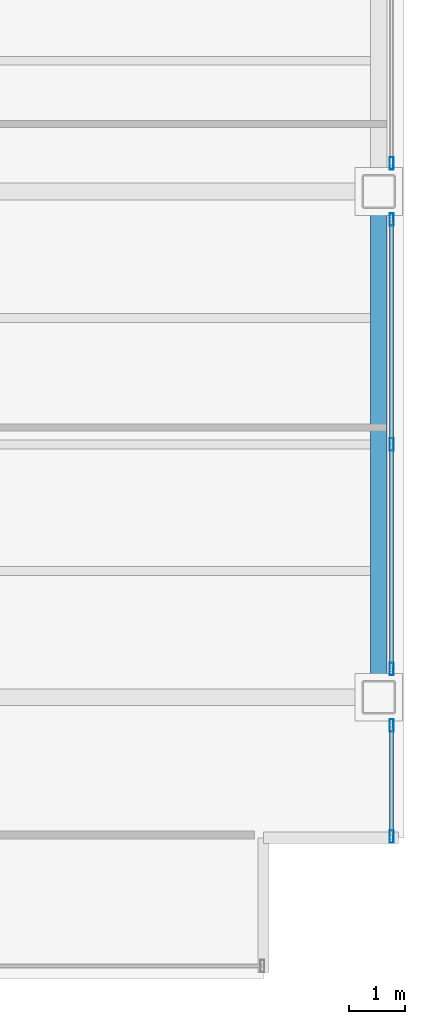
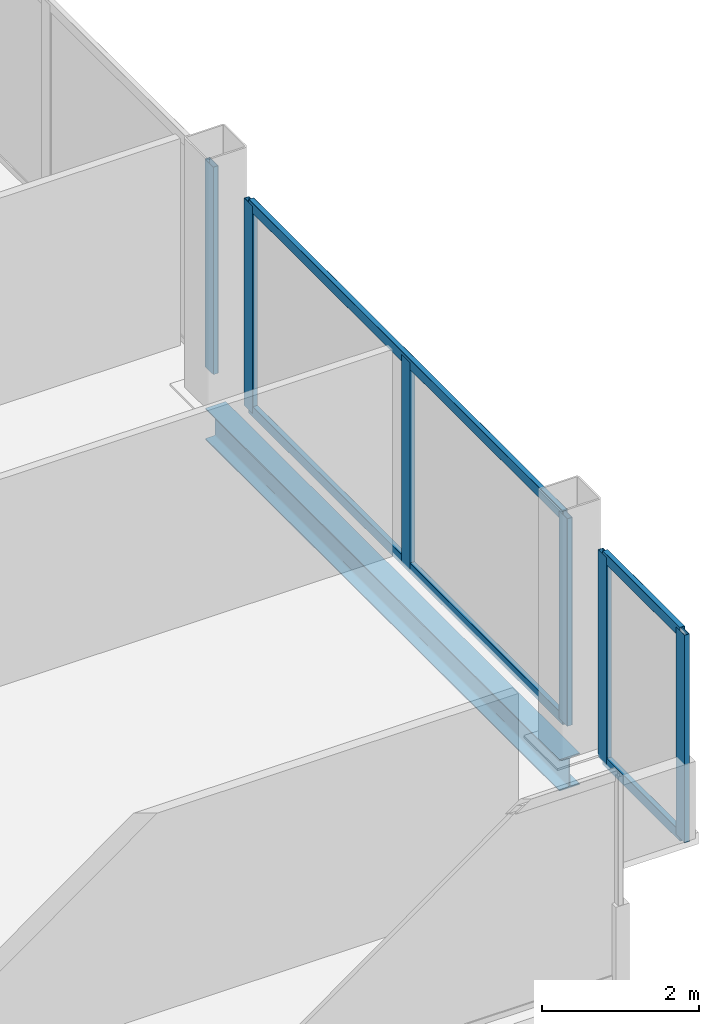
# One storey, part 10 of 20: 10 members, 1 beam, 3 elements without a shape of their own.
"""IFC4 building model written with IfcOpenShell, lengths in metres."""

from ifc_helpers import new_model, si_unit, direction, frame, origin, origin_2d, place, context, subcontext, project, spatial, hollow_rectangle, i_section, extrude, material, material_profile, profile_set, type_object, element, aggregate, save


model = new_model("IFC4")

# Units and contexts
model_context = context("Model", 3, precision=1e-05, world=origin(), true_north=direction((0.0, 1.0)))
body_context = subcontext(model_context, "Body", "Model", "MODEL_VIEW")
ifc_project = project(units=[si_unit("LENGTHUNIT", "METRE"), si_unit("AREAUNIT", "SQUARE_METRE"), si_unit("VOLUMEUNIT", "CUBIC_METRE"), si_unit("PLANEANGLEUNIT", "RADIAN"), si_unit("MASSUNIT", "GRAM", prefix="KILO")], contexts=[model_context])

# Site, building, storey
site_placement = place(None, origin())
site = spatial("IfcSite", under=ifc_project, at=site_placement, CompositionType="ELEMENT")
building_placement = place(site_placement, origin())
building = spatial("IfcBuilding", under=site, at=building_placement, Name="Noeulbin Bourse Tower", CompositionType="ELEMENT")
storey_placement = place(building_placement, frame((0.0, 0.0, 65.5)))
storey = spatial("IfcBuildingStorey", under=building, at=storey_placement, Name="L16", CompositionType="ELEMENT", Elevation=65.5)

# Beam
ifc_material_1 = material(Name="Steel S355", Category="steel")
ifc_material_profile_1 = material_profile(ifc_material_1, i_section(OverallWidth=0.300048828125, OverallDepth=0.488037109375, WebThickness=0.010986328125, FlangeThickness=0.01806640625, FilletRadius=0.02197265625, at=origin_2d()), Name="H-488x300x11x18", Category="LoadBearing")
ifc_profile_set_1 = profile_set([ifc_material_profile_1], Name="Steel S355")
beam_type = type_object("IfcBeamType", Name="BM-SPN-488", PredefinedType="SPANDREL", material=ifc_profile_set_1)
beam_placement = place(storey_placement, frame((57.050048828125, 20.0, -0.424072265625), z_axis=(0.0, 1.0, 0.0), x_axis=(-1.0, 0.0, 0.0)))
element("IfcBeam", 1, at=beam_placement, inside=storey, type_object=beam_type, Name="East Spandrel L16-1", PredefinedType="SPANDREL", context=body_context, shape_type="SweptSolid", body=[
    extrude(i_section(OverallWidth=0.300048828125, OverallDepth=0.488037109375, WebThickness=0.010986328125, FlangeThickness=0.01806640625, FilletRadius=0.02197265625, at=origin_2d()), origin(), (0.0, 0.0, 1.0), 9.0),
])

# Curtain wall, members
ifc_material_2 = material(Name="Dark Solar-Control Double Glazing", Category="glass")
curtain_wall_type = type_object("IfcCurtainWallType", Name="CW-SYS-2", PredefinedType="NOTDEFINED", material=ifc_material_2)
curtain_wall_1_placement = place(storey_placement, origin())
curtain_wall_1 = element("IfcCurtainWall", 2, at=curtain_wall_1_placement, inside=storey, type_object=curtain_wall_type, Name="Unitised Curtain Wall CW-L16-E-S1", PredefinedType="NOTDEFINED")
ifc_material_3 = material(Name="Anodised Aluminium 6063-T6", Category="aluminium")
ifc_material_profile_2 = material_profile(ifc_material_3, hollow_rectangle(XDim=0.074951171875, YDim=0.219970703125, WallThickness=0.0048828125, InnerFilletRadius=0.00244140625, OuterFilletRadius=0.0048828125, at=origin_2d()), Name="ALU-MULL-75x220x5", Category="LoadBearing")
ifc_profile_set_2 = profile_set([ifc_material_profile_2], Name="Anodised Aluminium 6063-T6")
member_type_1 = type_object("IfcMemberType", Name="CW-SYS-2-MUL", PredefinedType="MULLION", material=ifc_profile_set_2)
member_1_placement = place(storey_placement, frame((57.280029296875, 17.52001953125, -0.02001953125), z_axis=(0.0, 0.0, 1.0), x_axis=(1.0, 0.0, 0.0)))
member_1 = element("IfcMember", 3, at=member_1_placement, type_object=member_type_1, Name="Curtain Wall Mullion CW-L16-E-S1-M00", PredefinedType="MULLION", context=body_context, shape_type="SweptSolid", body=[
    extrude(hollow_rectangle(XDim=0.074951171875, YDim=0.219970703125, WallThickness=0.0048828125, InnerFilletRadius=0.00244140625, OuterFilletRadius=0.0048828125, at=origin_2d()), origin(), (0.0, 0.0, 1.0), 3.219970703125),
])
member_2_placement = place(storey_placement, frame((57.280029296875, 19.5, -0.02001953125), z_axis=(0.0, 0.0, 1.0), x_axis=(1.0, 0.0, 0.0)))
member_2 = element("IfcMember", 4, at=member_2_placement, type_object=member_type_1, Name="Curtain Wall Mullion CW-L16-E-S1-M01", PredefinedType="MULLION", context=body_context, shape_type="SweptSolid", body=[
    extrude(hollow_rectangle(XDim=0.074951171875, YDim=0.219970703125, WallThickness=0.0048828125, InnerFilletRadius=0.00244140625, OuterFilletRadius=0.0048828125, at=origin_2d()), origin(), (0.0, 0.0, 1.0), 3.219970703125),
])

curtain_wall_2_placement = place(storey_placement, origin())
curtain_wall_2 = element("IfcCurtainWall", 5, at=curtain_wall_2_placement, inside=storey, type_object=curtain_wall_type, Name="Unitised Curtain Wall CW-L16-E-S2", PredefinedType="NOTDEFINED")
member_3_placement = place(storey_placement, frame((57.280029296875, 20.5, -0.02001953125), z_axis=(0.0, 0.0, 1.0), x_axis=(1.0, 0.0, 0.0)))
member_3 = element("IfcMember", 6, at=member_3_placement, type_object=member_type_1, Name="Curtain Wall Mullion CW-L16-E-S2-M00", PredefinedType="MULLION", context=body_context, shape_type="SweptSolid", body=[
    extrude(hollow_rectangle(XDim=0.074951171875, YDim=0.219970703125, WallThickness=0.0048828125, InnerFilletRadius=0.00244140625, OuterFilletRadius=0.0048828125, at=origin_2d()), origin(), (0.0, 0.0, 1.0), 3.219970703125),
])
member_4_placement = place(storey_placement, frame((57.280029296875, 24.5, -0.02001953125), z_axis=(0.0, 0.0, 1.0), x_axis=(1.0, 0.0, 0.0)))
member_4 = element("IfcMember", 7, at=member_4_placement, type_object=member_type_1, Name="Curtain Wall Mullion CW-L16-E-S2-M01", PredefinedType="MULLION", context=body_context, shape_type="SweptSolid", body=[
    extrude(hollow_rectangle(XDim=0.074951171875, YDim=0.219970703125, WallThickness=0.0048828125, InnerFilletRadius=0.00244140625, OuterFilletRadius=0.0048828125, at=origin_2d()), origin(), (0.0, 0.0, 1.0), 3.219970703125),
])
member_5_placement = place(storey_placement, frame((57.280029296875, 28.5, -0.02001953125), z_axis=(0.0, 0.0, 1.0), x_axis=(1.0, 0.0, 0.0)))
member_5 = element("IfcMember", 8, at=member_5_placement, type_object=member_type_1, Name="Curtain Wall Mullion CW-L16-E-S2-M02", PredefinedType="MULLION", context=body_context, shape_type="SweptSolid", body=[
    extrude(hollow_rectangle(XDim=0.074951171875, YDim=0.219970703125, WallThickness=0.0048828125, InnerFilletRadius=0.00244140625, OuterFilletRadius=0.0048828125, at=origin_2d()), origin(), (0.0, 0.0, 1.0), 3.219970703125),
])

# Curtain wall, member
curtain_wall_3_placement = place(storey_placement, origin())
curtain_wall_3 = element("IfcCurtainWall", 9, at=curtain_wall_3_placement, inside=storey, type_object=curtain_wall_type, Name="Unitised Curtain Wall CW-L16-E-S3", PredefinedType="NOTDEFINED")
member_6_placement = place(storey_placement, frame((57.280029296875, 29.5, -0.02001953125), z_axis=(0.0, 0.0, 1.0), x_axis=(1.0, 0.0, 0.0)))
member_6 = element("IfcMember", 10, at=member_6_placement, type_object=member_type_1, Name="Curtain Wall Mullion CW-L16-E-S3-M00", PredefinedType="MULLION", context=body_context, shape_type="SweptSolid", body=[
    extrude(hollow_rectangle(XDim=0.074951171875, YDim=0.219970703125, WallThickness=0.0048828125, InnerFilletRadius=0.00244140625, OuterFilletRadius=0.0048828125, at=origin_2d()), origin(), (0.0, 0.0, 1.0), 3.219970703125),
])
aggregate(curtain_wall_3, [member_6])

# Member
ifc_material_profile_3 = material_profile(ifc_material_3, hollow_rectangle(XDim=0.074951171875, YDim=0.159912109375, WallThickness=0.0048828125, InnerFilletRadius=0.00244140625, OuterFilletRadius=0.0048828125, at=origin_2d()), Name="ALU-TRAN-75x160x5", Category="LoadBearing")
ifc_profile_set_3 = profile_set([ifc_material_profile_3], Name="Anodised Aluminium 6063-T6")
member_type_2 = type_object("IfcMemberType", Name="CW-SYS-2-TRN", PredefinedType="USERDEFINED", material=ifc_profile_set_3)
member_7_placement = place(storey_placement, frame((57.280029296875, 17.530029296875, 0.010009765625), z_axis=(0.0, 1.0, 0.0), x_axis=(-1.0, 0.0, 0.0)))
member_7 = element("IfcMember", 11, at=member_7_placement, type_object=member_type_2, Name="Curtain Wall Transom CW-L16-E-S1-T00", ObjectType="TRANSOM", PredefinedType="USERDEFINED", context=body_context, shape_type="SweptSolid", body=[
    extrude(hollow_rectangle(XDim=0.074951171875, YDim=0.159912109375, WallThickness=0.0048828125, InnerFilletRadius=0.00244140625, OuterFilletRadius=0.0048828125, at=origin_2d()), origin(), (0.0, 0.0, 1.0), 1.9599609375),
])

member_8_placement = place(storey_placement, frame((57.280029296875, 17.530029296875, 3.169921875), z_axis=(0.0, 1.0, 0.0), x_axis=(-1.0, 0.0, 0.0)))
member_8 = element("IfcMember", 12, at=member_8_placement, type_object=member_type_2, Name="Curtain Wall Transom CW-L16-E-S1-T01", ObjectType="TRANSOM", PredefinedType="USERDEFINED", context=body_context, shape_type="SweptSolid", body=[
    extrude(hollow_rectangle(XDim=0.074951171875, YDim=0.159912109375, WallThickness=0.0048828125, InnerFilletRadius=0.00244140625, OuterFilletRadius=0.0048828125, at=origin_2d()), origin(), (0.0, 0.0, 1.0), 1.9599609375),
])

aggregate(curtain_wall_1, [member_1, member_2, member_7, member_8])

member_9_placement = place(storey_placement, frame((57.280029296875, 20.510009765625, 0.010009765625), z_axis=(0.0, 1.0, 0.0), x_axis=(-1.0, 0.0, 0.0)))
member_9 = element("IfcMember", 13, at=member_9_placement, type_object=member_type_2, Name="Curtain Wall Transom CW-L16-E-S2-T00", ObjectType="TRANSOM", PredefinedType="USERDEFINED", context=body_context, shape_type="SweptSolid", body=[
    extrude(hollow_rectangle(XDim=0.074951171875, YDim=0.159912109375, WallThickness=0.0048828125, InnerFilletRadius=0.00244140625, OuterFilletRadius=0.0048828125, at=origin_2d()), origin(), (0.0, 0.0, 1.0), 7.97998046875),
])

member_10_placement = place(storey_placement, frame((57.280029296875, 20.510009765625, 3.169921875), z_axis=(0.0, 1.0, 0.0), x_axis=(-1.0, 0.0, 0.0)))
member_10 = element("IfcMember", 14, at=member_10_placement, type_object=member_type_2, Name="Curtain Wall Transom CW-L16-E-S2-T01", ObjectType="TRANSOM", PredefinedType="USERDEFINED", context=body_context, shape_type="SweptSolid", body=[
    extrude(hollow_rectangle(XDim=0.074951171875, YDim=0.159912109375, WallThickness=0.0048828125, InnerFilletRadius=0.00244140625, OuterFilletRadius=0.0048828125, at=origin_2d()), origin(), (0.0, 0.0, 1.0), 7.97998046875),
])

aggregate(curtain_wall_2, [member_3, member_4, member_5, member_9, member_10])

save(model, "model.ifc")
